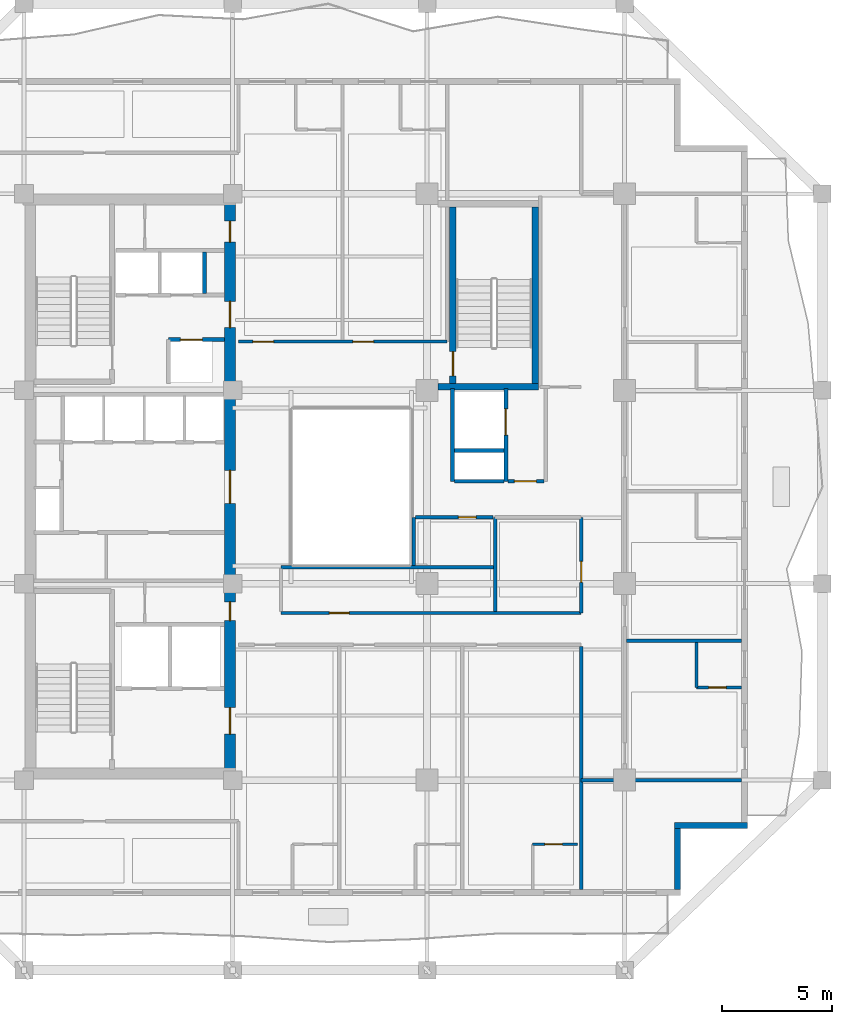
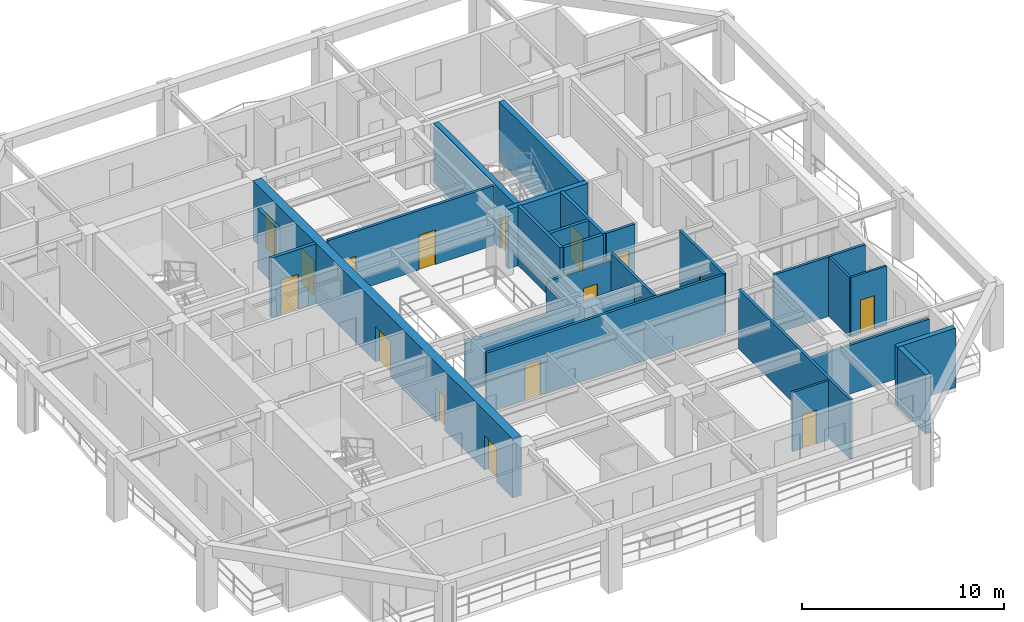
# One storey, part 5 of 12: 26 walls, 16 doors, 16 openings.
"""IFC4 building model written with IfcOpenShell, lengths in metres."""

from ifc_helpers import new_model, si_unit, direction, frame, frame_2d, origin, place, context, subcontext, project, spatial, rectangle, extrude, material, layer, layer_set, type_object, element, fill, save


model = new_model("IFC4")

# Units and contexts
model_context = context("Model", 3, precision=1e-05, world=origin(), true_north=direction((0.0, 1.0)))
body_context = subcontext(model_context, "Body", "Model", "MODEL_VIEW")
ifc_project = project(units=[si_unit("LENGTHUNIT", "METRE"), si_unit("AREAUNIT", "SQUARE_METRE"), si_unit("VOLUMEUNIT", "CUBIC_METRE"), si_unit("PLANEANGLEUNIT", "RADIAN"), si_unit("MASSUNIT", "GRAM", prefix="KILO")], contexts=[model_context])

# Site, building, storey
site_placement = place(None, origin())
site = spatial("IfcSite", under=ifc_project, at=site_placement, CompositionType="ELEMENT")
building_placement = place(site_placement, origin())
building = spatial("IfcBuilding", under=site, at=building_placement, Name="Kundavana Baori Tower", CompositionType="ELEMENT")
storey_placement = place(building_placement, frame((0.0, 0.0, 134.800048828125)))
storey = spatial("IfcBuildingStorey", under=building, at=storey_placement, Name="L32", CompositionType="ELEMENT", Elevation=134.800048828125)

# Wall, openings, doors
ifc_material_1 = material(Name="Concrete C50/60", Category="concrete")
ifc_layer_1 = layer(ifc_material_1, 0.5, Name="WL-CORE-500")
ifc_layer_set_1 = layer_set([ifc_layer_1], Name="Concrete C50/60")
wall_type_1 = type_object("IfcWallType", Name="WL-CORE-500", PredefinedType="SHEAR", material=ifc_layer_set_1)
wall_1_placement = place(storey_placement, frame((24.830078125, 15.739990234375, 0.0), z_axis=(0.0, 0.0, 1.0), x_axis=(0.0, 1.0, 0.0)))
wall_1 = element("IfcWall", 1, at=wall_1_placement, inside=storey, type_object=wall_type_1, Name="L32 Offset Core East Shear Wall", PredefinedType="SHEAR", context=body_context, shape_type="SweptSolid", body=[
    extrude(rectangle(XDim=25.760009765625, YDim=0.5, at=frame_2d((12.8798828125, 0.0))), origin(), (0.0, 0.0, 1.0), 3.599853515625),
])
opening_1_placement = place(wall_1_placement, frame((1.610107421875, 0.0, 0.0)))
opening_1 = element("IfcOpeningElement", 2, at=opening_1_placement, cuts=wall_1, Name="Opening FD-120", PredefinedType="OPENING", context=body_context, shape_type="SweptSolid", body=[
    extrude(rectangle(XDim=1.199951171875, YDim=2.10009765625, at=frame_2d((0.60009765625, 1.050048828125))), frame((0.0, 0.260009765625, 0.0), z_axis=(0.0, -1.0, 0.0), x_axis=(1.0, 0.0, 0.0)), (0.0, 0.0, 1.0), 0.52001953125),
])
opening_2_placement = place(wall_1_placement, frame((6.780029296875, 0.0, 0.0)))
opening_2 = element("IfcOpeningElement", 3, at=opening_2_placement, cuts=wall_1, Name="Opening FD-085", PredefinedType="OPENING", context=body_context, shape_type="SweptSolid", body=[
    extrude(rectangle(XDim=0.85009765625, YDim=2.06005859375, at=frame_2d((0.425048828125, 1.030029296875))), frame((0.0, 0.260009765625, 0.0), z_axis=(0.0, -1.0, 0.0), x_axis=(1.0, 0.0, 0.0)), (0.0, 0.0, 1.0), 0.52001953125),
])
opening_3_placement = place(wall_1_placement, frame((12.110107421875, 0.0, 0.0)))
opening_3 = element("IfcOpeningElement", 4, at=opening_3_placement, cuts=wall_1, Name="Opening FD-150", PredefinedType="OPENING", context=body_context, shape_type="SweptSolid", body=[
    extrude(rectangle(XDim=1.5, YDim=2.1201171875, at=frame_2d((0.75, 1.06005859375))), frame((0.0, 0.260009765625, 0.0), z_axis=(0.0, -1.0, 0.0), x_axis=(1.0, 0.0, 0.0)), (0.0, 0.0, 1.0), 0.52001953125),
])
opening_4_placement = place(wall_1_placement, frame((20.110107421875, 0.0, 0.0)))
opening_4 = element("IfcOpeningElement", 5, at=opening_4_placement, cuts=wall_1, Name="Opening FD-122", PredefinedType="OPENING", context=body_context, shape_type="SweptSolid", body=[
    extrude(rectangle(XDim=1.199951171875, YDim=2.1201171875, at=frame_2d((0.60009765625, 1.06005859375))), frame((0.0, 0.260009765625, 0.0), z_axis=(0.0, -1.0, 0.0), x_axis=(1.0, 0.0, 0.0)), (0.0, 0.0, 1.0), 0.52001953125),
])
opening_5_placement = place(wall_1_placement, frame((24.010009765625, 0.0, 0.0)))
opening_5 = element("IfcOpeningElement", 6, at=opening_5_placement, cuts=wall_1, Name="Opening FD-095", PredefinedType="OPENING", context=body_context, shape_type="SweptSolid", body=[
    extrude(rectangle(XDim=0.949951171875, YDim=2.10009765625, at=frame_2d((0.47509765625, 1.050048828125))), frame((0.0, 0.260009765625, 0.0), z_axis=(0.0, -1.0, 0.0), x_axis=(1.0, 0.0, 0.0)), (0.0, 0.0, 1.0), 0.52001953125),
])
ifc_material_2 = material(Name="Galvanised Steel Fire-Rated Door Leaf", Category="steel")
door_type_1 = type_object("IfcDoorType", Name="DR-FD120-1200", OperationType="NOTDEFINED", PredefinedType="DOOR", material=ifc_material_2)
door_1_placement = place(opening_1_placement, frame((1.199951171875, 0.0, 0.0), z_axis=(0.0, 0.0, 1.0), x_axis=(-1.0, 0.0, 0.0)))
door_1 = element("IfcDoor", 7, at=door_1_placement, inside=storey, type_object=door_type_1, Name="DR-L32-FFLOB-E", OperationType="SINGLE_SWING_RIGHT", OverallHeight=2.10009765625, OverallWidth=1.199951171875, PredefinedType="DOOR", context=body_context, shape_type="SweptSolid", body=[
    extrude(rectangle(XDim=1.199951171875, YDim=2.10009765625, at=frame_2d((0.60009765625, 1.050048828125))), frame((0.0, 0.02490234375, 0.0), z_axis=(0.0, -1.0, 0.0), x_axis=(1.0, 0.0, 0.0)), (0.0, 0.0, 1.0), 0.050048828125),
])
fill(opening_1, door_1)
ifc_material_3 = material(Name="Galvanised Steel Fire-Rated Door Leaf", Category="steel")
door_type_2 = type_object("IfcDoorType", Name="DR-FD60-1200", OperationType="NOTDEFINED", PredefinedType="DOOR", material=ifc_material_3)
door_2_placement = place(opening_4_placement, frame((1.199951171875, 0.0, 0.0), z_axis=(0.0, 0.0, 1.0), x_axis=(-1.0, 0.0, 0.0)))
door_2 = element("IfcDoor", 8, at=door_2_placement, inside=storey, type_object=door_type_2, Name="DR-L32-HRLOB-E", OperationType="SINGLE_SWING_RIGHT", OverallHeight=2.1201171875, OverallWidth=1.199951171875, PredefinedType="DOOR", context=body_context, shape_type="SweptSolid", body=[
    extrude(rectangle(XDim=1.199951171875, YDim=2.1201171875, at=frame_2d((0.60009765625, 1.06005859375))), frame((0.0, 0.02490234375, 0.0), z_axis=(0.0, -1.0, 0.0), x_axis=(1.0, 0.0, 0.0)), (0.0, 0.0, 1.0), 0.050048828125),
])
fill(opening_4, door_2)
ifc_material_4 = material(Name="Galvanised Steel Fire-Rated Door Leaf", Category="steel")
door_type_3 = type_object("IfcDoorType", Name="DR-FD60-1500", OperationType="NOTDEFINED", PredefinedType="DOOR", material=ifc_material_4)
door_3_placement = place(opening_3_placement, frame((1.5, 0.0, 0.0), z_axis=(0.0, 0.0, 1.0), x_axis=(-1.0, 0.0, 0.0)))
door_3 = element("IfcDoor", 9, at=door_3_placement, inside=storey, type_object=door_type_3, Name="DR-L32-LIFTHALL-E", OperationType="SINGLE_SWING_LEFT", OverallHeight=2.1201171875, OverallWidth=1.5, PredefinedType="DOOR", context=body_context, shape_type="SweptSolid", body=[
    extrude(rectangle(XDim=1.5, YDim=2.1201171875, at=frame_2d((0.75, 1.06005859375))), frame((0.0, 0.02490234375, 0.0), z_axis=(0.0, -1.0, 0.0), x_axis=(1.0, 0.0, 0.0)), (0.0, 0.0, 1.0), 0.050048828125),
])
fill(opening_3, door_3)
ifc_material_5 = material(Name="Galvanised Steel Fire-Rated Door Leaf", Category="steel")
door_type_4 = type_object("IfcDoorType", Name="DR-FD60-850", OperationType="NOTDEFINED", PredefinedType="DOOR", material=ifc_material_5)
door_4_placement = place(opening_2_placement, frame((0.85009765625, 0.0, 0.0), z_axis=(0.0, 0.0, 1.0), x_axis=(-1.0, 0.0, 0.0)))
door_4 = element("IfcDoor", 10, at=door_4_placement, inside=storey, type_object=door_type_4, Name="DR-L32-CSMK2", OperationType="SINGLE_SWING_LEFT", OverallHeight=2.06005859375, OverallWidth=0.85009765625, PredefinedType="DOOR", context=body_context, shape_type="SweptSolid", body=[
    extrude(rectangle(XDim=0.85009765625, YDim=2.06005859375, at=frame_2d((0.425048828125, 1.030029296875))), frame((0.0, 0.02490234375, 0.0), z_axis=(0.0, -1.0, 0.0), x_axis=(1.0, 0.0, 0.0)), (0.0, 0.0, 1.0), 0.050048828125),
])
fill(opening_2, door_4)
ifc_material_6 = material(Name="Engineered Teak Fire-Rated Timber Door Leaf", Category="wood")
door_type_5 = type_object("IfcDoorType", Name="DR-FD60-950", OperationType="NOTDEFINED", PredefinedType="DOOR", material=ifc_material_6)
door_5_placement = place(opening_5_placement, frame((0.949951171875, 0.0, 0.0), z_axis=(0.0, 0.0, 1.0), x_axis=(-1.0, 0.0, 0.0)))
door_5 = element("IfcDoor", 11, at=door_5_placement, inside=storey, type_object=door_type_5, Name="DR-L32-CSRV2", OperationType="SINGLE_SWING_LEFT", OverallHeight=2.10009765625, OverallWidth=0.949951171875, PredefinedType="DOOR", context=body_context, shape_type="SweptSolid", body=[
    extrude(rectangle(XDim=0.949951171875, YDim=2.10009765625, at=frame_2d((0.47509765625, 1.050048828125))), frame((0.0, 0.02490234375, 0.0), z_axis=(0.0, -1.0, 0.0), x_axis=(1.0, 0.0, 0.0)), (0.0, 0.0, 1.0), 0.050048828125),
])
fill(opening_5, door_5)

# Walls
ifc_material_7 = material(Name="Red-Buff Dholpur Sandstone Cladding on Concrete C40/50", Category="masonry")
ifc_layer_2 = layer(ifc_material_7, 0.280029296875, Name="WL-EXT-SAND-280")
ifc_layer_set_2 = layer_set([ifc_layer_2], Name="Red-Buff Dholpur Sandstone Cladding on Concrete C40/50")
wall_type_2 = type_object("IfcWallType", Name="WL-EXT-SAND-280", PredefinedType="STANDARD", material=ifc_layer_set_2)
wall_2_placement = place(storey_placement, frame((45.2099609375, 10.280029296875, 0.0), z_axis=(0.0, 0.0, 1.0), x_axis=(0.0, 1.0, 0.0)))
element("IfcWall", 12, at=wall_2_placement, inside=storey, type_object=wall_type_2, Name="L32 Exterior Insulated Facade Wall 02", PredefinedType="STANDARD", context=body_context, shape_type="SweptSolid", body=[
    extrude(rectangle(XDim=2.77001953125, YDim=0.280029296875, at=frame_2d((1.385009765625, 0.0))), origin(), (0.0, 0.0, 1.0), 3.599853515625),
])
wall_3_placement = place(storey_placement, frame((45.070068359375, 13.18994140625, 0.0), z_axis=(0.0, 0.0, 1.0), x_axis=(1.0, 0.0, 0.0)))
element("IfcWall", 13, at=wall_3_placement, inside=storey, type_object=wall_type_2, Name="L32 Exterior Insulated Facade Wall 03", PredefinedType="STANDARD", context=body_context, shape_type="SweptSolid", body=[
    extrude(rectangle(XDim=3.329833984375, YDim=0.280029296875, at=frame_2d((1.6650390625, 0.0))), origin(), (0.0, 0.0, 1.0), 3.599853515625),
])

# Wall, opening, door
ifc_material_8 = material(Name="Fire-Rated Gypsum Drywall on Galvanised Steel Studs", Category="steel")
ifc_layer_3 = layer(ifc_material_8, 0.14990234375, Name="WL-PART-150")
ifc_layer_set_3 = layer_set([ifc_layer_3], Name="Fire-Rated Gypsum Drywall on Galvanised Steel Studs")
wall_type_3 = type_object("IfcWallType", Name="WL-PART-150", PredefinedType="PARTITIONING", material=ifc_layer_set_3)
wall_4_placement = place(storey_placement, frame((37.47998046875, 28.860107421875, 0.0), z_axis=(0.0, 0.0, 1.0), x_axis=(1.0, 0.0, 0.0)))
wall_4 = element("IfcWall", 14, at=wall_4_placement, inside=storey, type_object=wall_type_3, Name="WL-L32-SVLOB-S", PredefinedType="PARTITIONING", context=body_context, shape_type="SweptSolid", body=[
    extrude(rectangle(XDim=1.64013671875, YDim=0.14990234375, at=frame_2d((0.820068359375, 0.0))), origin(), (0.0, 0.0, 1.0), 3.599853515625),
])
opening_6_placement = place(wall_4_placement, frame((0.300048828125, 0.0, 0.0)))
opening_6 = element("IfcOpeningElement", 15, at=opening_6_placement, cuts=wall_4, Name="Opening FD-100", PredefinedType="OPENING", context=body_context, shape_type="SweptSolid", body=[
    extrude(rectangle(XDim=1.0, YDim=2.10009765625, at=frame_2d((0.5, 1.050048828125))), frame((0.0, 0.0849609375, 0.0), z_axis=(0.0, -1.0, 0.0), x_axis=(1.0, 0.0, 0.0)), (0.0, 0.0, 1.0), 0.169921875),
])
ifc_material_9 = material(Name="Engineered Teak Fire-Rated Timber Door Leaf", Category="wood")
door_type_6 = type_object("IfcDoorType", Name="DR-FD60-1000", OperationType="NOTDEFINED", PredefinedType="DOOR", material=ifc_material_9)
door_6_placement = place(opening_6_placement, origin())
door_6 = element("IfcDoor", 16, at=door_6_placement, inside=storey, type_object=door_type_6, Name="DR-L32-SVLOB-OUT", OperationType="SINGLE_SWING_LEFT", OverallHeight=2.10009765625, OverallWidth=1.0, PredefinedType="DOOR", context=body_context, shape_type="SweptSolid", body=[
    extrude(rectangle(XDim=1.0, YDim=2.10009765625, at=frame_2d((0.5, 1.050048828125))), frame((0.0, 0.02490234375, 0.0), z_axis=(0.0, -1.0, 0.0), x_axis=(1.0, 0.0, 0.0)), (0.0, 0.0, 1.0), 0.050048828125),
])
fill(opening_6, door_6)

wall_5_placement = place(storey_placement, frame((27.14990234375, 22.860107421875, 0.0), z_axis=(0.0, 0.0, 1.0), x_axis=(1.0, 0.0, 0.0)))
wall_5 = element("IfcWall", 17, at=wall_5_placement, inside=storey, type_object=wall_type_3, Name="WL-L32-HST", PredefinedType="PARTITIONING", context=body_context, shape_type="SweptSolid", body=[
    extrude(rectangle(XDim=13.670166015625, YDim=0.14990234375, at=frame_2d((6.8349609375, 0.0))), origin(), (0.0, 0.0, 1.0), 3.599853515625),
])
opening_7_placement = place(wall_5_placement, frame((2.199951171875, 0.0, 0.0)))
opening_7 = element("IfcOpeningElement", 18, at=opening_7_placement, cuts=wall_5, Name="Opening ID-090", PredefinedType="OPENING", context=body_context, shape_type="SweptSolid", body=[
    extrude(rectangle(XDim=0.89990234375, YDim=2.080078125, at=frame_2d((0.449951171875, 1.0400390625))), frame((0.0, 0.0849609375, 0.0), z_axis=(0.0, -1.0, 0.0), x_axis=(1.0, 0.0, 0.0)), (0.0, 0.0, 1.0), 0.169921875),
])
ifc_material_10 = material(Name="Engineered Teak Solid-Core Timber Veneer", Category="wood")
door_type_7 = type_object("IfcDoorType", Name="DR-INT-900", OperationType="NOTDEFINED", PredefinedType="DOOR", material=ifc_material_10)
door_7_placement = place(opening_7_placement, origin())
door_7 = element("IfcDoor", 19, at=door_7_placement, inside=storey, type_object=door_type_7, Name="DR-L32-HPNT", OperationType="SINGLE_SWING_LEFT", OverallHeight=2.080078125, OverallWidth=0.89990234375, PredefinedType="DOOR", context=body_context, shape_type="SweptSolid", body=[
    extrude(rectangle(XDim=0.89990234375, YDim=2.080078125, at=frame_2d((0.449951171875, 1.0400390625))), frame((0.0, 0.02490234375, 0.0), z_axis=(0.0, -1.0, 0.0), x_axis=(1.0, 0.0, 0.0)), (0.0, 0.0, 1.0), 0.050048828125),
])
fill(opening_7, door_7)

# Wall, openings, doors
wall_6_placement = place(storey_placement, frame((25.219970703125, 35.219970703125, 0.0), z_axis=(0.0, 0.0, 1.0), x_axis=(1.0, 0.0, 0.0)))
wall_6 = element("IfcWall", 20, at=wall_6_placement, inside=storey, type_object=wall_type_3, Name="WL-L32-HN", PredefinedType="PARTITIONING", context=body_context, shape_type="SweptSolid", body=[
    extrude(rectangle(XDim=9.5, YDim=0.14990234375, at=frame_2d((4.75, 0.0))), origin(), (0.0, 0.0, 1.0), 3.599853515625),
])
opening_8_placement = place(wall_6_placement, frame((0.64990234375, 0.0, 0.0)))
opening_8 = element("IfcOpeningElement", 21, at=opening_8_placement, cuts=wall_6, Name="Opening FD-095", PredefinedType="OPENING", context=body_context, shape_type="SweptSolid", body=[
    extrude(rectangle(XDim=0.949951171875, YDim=2.10009765625, at=frame_2d((0.47509765625, 1.050048828125))), frame((0.0, 0.0849609375, 0.0), z_axis=(0.0, -1.0, 0.0), x_axis=(1.0, 0.0, 0.0)), (0.0, 0.0, 1.0), 0.169921875),
])
opening_9_placement = place(wall_6_placement, frame((5.199951171875, 0.0, 0.0)))
opening_9 = element("IfcOpeningElement", 22, at=opening_9_placement, cuts=wall_6, Name="Opening FD-095", PredefinedType="OPENING", context=body_context, shape_type="SweptSolid", body=[
    extrude(rectangle(XDim=0.949951171875, YDim=2.10009765625, at=frame_2d((0.47509765625, 1.050048828125))), frame((0.0, 0.0849609375, 0.0), z_axis=(0.0, -1.0, 0.0), x_axis=(1.0, 0.0, 0.0)), (0.0, 0.0, 1.0), 0.169921875),
])
door_8_placement = place(opening_8_placement, origin())
door_8 = element("IfcDoor", 23, at=door_8_placement, inside=storey, type_object=door_type_5, Name="DR-L32-HK-N1-ENT", OperationType="SINGLE_SWING_LEFT", OverallHeight=2.10009765625, OverallWidth=0.949951171875, PredefinedType="DOOR", context=body_context, shape_type="SweptSolid", body=[
    extrude(rectangle(XDim=0.949951171875, YDim=2.10009765625, at=frame_2d((0.47509765625, 1.050048828125))), frame((0.0, 0.02490234375, 0.0), z_axis=(0.0, -1.0, 0.0), x_axis=(1.0, 0.0, 0.0)), (0.0, 0.0, 1.0), 0.050048828125),
])
fill(opening_8, door_8)
door_9_placement = place(opening_9_placement, origin())
door_9 = element("IfcDoor", 24, at=door_9_placement, inside=storey, type_object=door_type_5, Name="DR-L32-HK-N2-ENT", OperationType="SINGLE_SWING_RIGHT", OverallHeight=2.10009765625, OverallWidth=0.949951171875, PredefinedType="DOOR", context=body_context, shape_type="SweptSolid", body=[
    extrude(rectangle(XDim=0.949951171875, YDim=2.10009765625, at=frame_2d((0.47509765625, 1.050048828125))), frame((0.0, 0.02490234375, 0.0), z_axis=(0.0, -1.0, 0.0), x_axis=(1.0, 0.0, 0.0)), (0.0, 0.0, 1.0), 0.050048828125),
])
fill(opening_9, door_9)

# Wall
wall_7_placement = place(storey_placement, frame((40.820068359375, 15.25, 0.0), z_axis=(0.0, 0.0, 1.0), x_axis=(1.0, 0.0, 0.0)))
element("IfcWall", 25, at=wall_7_placement, inside=storey, type_object=wall_type_3, Name="WL-L32-HES", PredefinedType="PARTITIONING", context=body_context, shape_type="SweptSolid", body=[
    extrude(rectangle(XDim=7.300048828125, YDim=0.14990234375, at=frame_2d((3.64990234375, 0.0))), origin(), (0.0, 0.0, 1.0), 2.949951171875),
])

# Wall, opening, door
wall_8_placement = place(storey_placement, frame((40.820068359375, 22.860107421875, 0.0), z_axis=(0.0, 0.0, 1.0), x_axis=(0.0, 1.0, 0.0)))
wall_8 = element("IfcWall", 26, at=wall_8_placement, inside=storey, type_object=wall_type_3, Name="WL-L32-HEW", PredefinedType="PARTITIONING", context=body_context, shape_type="SweptSolid", body=[
    extrude(rectangle(XDim=4.35986328125, YDim=0.14990234375, at=frame_2d((2.179931640625, 0.0))), origin(), (0.0, 0.0, 1.0), 3.599853515625),
])
opening_10_placement = place(wall_8_placement, frame((1.39990234375, 0.0, 0.0)))
opening_10 = element("IfcOpeningElement", 27, at=opening_10_placement, cuts=wall_8, Name="Opening FD-095", PredefinedType="OPENING", context=body_context, shape_type="SweptSolid", body=[
    extrude(rectangle(XDim=0.949951171875, YDim=2.10009765625, at=frame_2d((0.47509765625, 1.050048828125))), frame((0.0, 0.0849609375, 0.0), z_axis=(0.0, -1.0, 0.0), x_axis=(1.0, 0.0, 0.0)), (0.0, 0.0, 1.0), 0.169921875),
])
door_10_placement = place(opening_10_placement, frame((0.949951171875, 0.0, 0.0), z_axis=(0.0, 0.0, 1.0), x_axis=(-1.0, 0.0, 0.0)))
door_10 = element("IfcDoor", 28, at=door_10_placement, inside=storey, type_object=door_type_5, Name="DR-L32-HSK", OperationType="SINGLE_SWING_RIGHT", OverallHeight=2.10009765625, OverallWidth=0.949951171875, PredefinedType="DOOR", context=body_context, shape_type="SweptSolid", body=[
    extrude(rectangle(XDim=0.949951171875, YDim=2.10009765625, at=frame_2d((0.47509765625, 1.050048828125))), frame((0.0, 0.02490234375, 0.0), z_axis=(0.0, -1.0, 0.0), x_axis=(1.0, 0.0, 0.0)), (0.0, 0.0, 1.0), 0.050048828125),
])
fill(opening_10, door_10)

# Walls
wall_9_placement = place(storey_placement, frame((36.89990234375, 22.93994140625, 0.0), z_axis=(0.0, 0.0, 1.0), x_axis=(0.0, 1.0, 0.0)))
element("IfcWall", 29, at=wall_9_placement, inside=storey, type_object=wall_type_3, Name="WL-L32-HKD", PredefinedType="PARTITIONING", context=body_context, shape_type="SweptSolid", body=[
    extrude(rectangle(XDim=4.280029296875, YDim=0.14990234375, at=frame_2d((2.14013671875, 0.0))), origin(), (0.0, 0.0, 1.0), 3.599853515625),
])
wall_10_placement = place(storey_placement, frame((27.14990234375, 24.949951171875, 0.0), z_axis=(0.0, 0.0, 1.0), x_axis=(1.0, 0.0, 0.0)))
element("IfcWall", 30, at=wall_10_placement, inside=storey, type_object=wall_type_3, Name="WL-L32-HPN1", PredefinedType="PARTITIONING", context=body_context, shape_type="SweptSolid", body=[
    extrude(rectangle(XDim=9.670166015625, YDim=0.14990234375, at=frame_2d((4.8349609375, 0.0))), origin(), (0.0, 0.0, 1.0), 3.050048828125),
])
wall_11_placement = place(storey_placement, frame((33.199951171875, 25.02001953125, 0.0), z_axis=(0.0, 0.0, 1.0), x_axis=(0.0, 1.0, 0.0)))
element("IfcWall", 31, at=wall_11_placement, inside=storey, type_object=wall_type_3, Name="WL-L32-HASW", PredefinedType="PARTITIONING", context=body_context, shape_type="SweptSolid", body=[
    extrude(rectangle(XDim=2.199951171875, YDim=0.14990234375, at=frame_2d((1.10009765625, 0.0))), origin(), (0.0, 0.0, 1.0), 3.050048828125),
])

# Wall, opening, door
wall_12_placement = place(storey_placement, frame((33.280029296875, 27.219970703125, 0.0), z_axis=(0.0, 0.0, 1.0), x_axis=(1.0, 0.0, 0.0)))
wall_12 = element("IfcWall", 32, at=wall_12_placement, inside=storey, type_object=wall_type_3, Name="WL-L32-HASN", PredefinedType="PARTITIONING", context=body_context, shape_type="SweptSolid", body=[
    extrude(rectangle(XDim=3.52001953125, YDim=0.14990234375, at=frame_2d((1.760009765625, 0.0))), origin(), (0.0, 0.0, 1.0), 3.199951171875),
])
opening_11_placement = place(wall_12_placement, frame((1.949951171875, 0.0, 0.0)))
opening_11 = element("IfcOpeningElement", 33, at=opening_11_placement, cuts=wall_12, Name="Opening WD-080", PredefinedType="OPENING", context=body_context, shape_type="SweptSolid", body=[
    extrude(rectangle(XDim=0.800048828125, YDim=2.050048828125, at=frame_2d((0.39990234375, 1.02490234375))), frame((0.0, 0.0849609375, 0.0), z_axis=(0.0, -1.0, 0.0), x_axis=(1.0, 0.0, 0.0)), (0.0, 0.0, 1.0), 0.169921875),
])
ifc_material_11 = material(Name="Engineered Teak Solid-Core Timber Veneer", Category="wood")
door_type_8 = type_object("IfcDoorType", Name="DR-WET-800", OperationType="NOTDEFINED", PredefinedType="DOOR", material=ifc_material_11)
door_11_placement = place(opening_11_placement, frame((0.800048828125, 0.0, 0.0), z_axis=(0.0, 0.0, 1.0), x_axis=(-1.0, 0.0, 0.0)))
door_11 = element("IfcDoor", 34, at=door_11_placement, inside=storey, type_object=door_type_8, Name="DR-L32-HLAS", OperationType="SINGLE_SWING_LEFT", OverallHeight=2.050048828125, OverallWidth=0.800048828125, PredefinedType="DOOR", context=body_context, shape_type="SweptSolid", body=[
    extrude(rectangle(XDim=0.800048828125, YDim=2.050048828125, at=frame_2d((0.39990234375, 1.02490234375))), frame((0.0, 0.02490234375, 0.0), z_axis=(0.0, -1.0, 0.0), x_axis=(1.0, 0.0, 0.0)), (0.0, 0.0, 1.0), 0.050048828125),
])
fill(opening_11, door_11)

# Walls
wall_13_placement = place(storey_placement, frame((40.820068359375, 10.280029296875, 0.0), z_axis=(0.0, 0.0, 1.0), x_axis=(0.0, 1.0, 0.0)))
element("IfcWall", 35, at=wall_13_placement, inside=storey, type_object=wall_type_3, Name="WL-L32-HSEND", PredefinedType="PARTITIONING", context=body_context, shape_type="SweptSolid", body=[
    extrude(rectangle(XDim=11.06005859375, YDim=0.14990234375, at=frame_2d((5.530029296875, 0.0))), origin(), (0.0, 0.0, 1.0), 3.599853515625),
])
wall_14_placement = place(storey_placement, frame((42.8798828125, 21.60009765625, 0.0), z_axis=(0.0, 0.0, 1.0), x_axis=(1.0, 0.0, 0.0)))
element("IfcWall", 36, at=wall_14_placement, inside=storey, type_object=wall_type_3, Name="WL-L32-HED1", PredefinedType="PARTITIONING", context=body_context, shape_type="SweptSolid", body=[
    extrude(rectangle(XDim=5.240234375, YDim=0.14990234375, at=frame_2d((2.6201171875, 0.0))), origin(), (0.0, 0.0, 1.0), 3.599853515625),
])

# Wall, opening, door
ifc_material_12 = material(Name="Autoclaved Aerated Concrete Blockwork Masonry", Category="masonry")
ifc_layer_4 = layer(ifc_material_12, 0.179931640625, Name="WL-SHAFT-180")
ifc_layer_set_4 = layer_set([ifc_layer_4], Name="Autoclaved Aerated Concrete Blockwork Masonry")
wall_type_4 = type_object("IfcWallType", Name="WL-SHAFT-180", PredefinedType="SOLIDWALL", material=ifc_layer_set_4)
wall_15_placement = place(storey_placement, frame((22.02001953125, 35.31005859375, 0.0), z_axis=(0.0, 0.0, 1.0), x_axis=(1.0, 0.0, 0.0)))
wall_15 = element("IfcWall", 37, at=wall_15_placement, inside=storey, type_object=wall_type_4, Name="WL-L32-LP11-N", PredefinedType="SOLIDWALL", context=body_context, shape_type="SweptSolid", body=[
    extrude(rectangle(XDim=2.56005859375, YDim=0.179931640625, at=frame_2d((1.280029296875, 0.0))), origin(), (0.0, 0.0, 1.0), 3.599853515625),
])
opening_12_placement = place(wall_15_placement, frame((0.550048828125, 0.0, 0.0)))
opening_12 = element("IfcOpeningElement", 38, at=opening_12_placement, cuts=wall_15, Name="Opening LD-100", PredefinedType="OPENING", context=body_context, shape_type="SweptSolid", body=[
    extrude(rectangle(XDim=1.0, YDim=2.10009765625, at=frame_2d((0.5, 1.050048828125))), frame((0.0, 0.10009765625, 0.0), z_axis=(0.0, -1.0, 0.0), x_axis=(1.0, 0.0, 0.0)), (0.0, 0.0, 1.0), 0.199951171875),
])
ifc_material_13 = material(Name="Galvanised Steel Fire-Rated Door Leaf", Category="steel")
door_type_9 = type_object("IfcDoorType", Name="DR-SLIDE-LD1000", OperationType="NOTDEFINED", PredefinedType="DOOR", material=ifc_material_13)
door_12_placement = place(opening_12_placement, origin())
door_12 = element("IfcDoor", 39, at=door_12_placement, inside=storey, type_object=door_type_9, Name="DR-L32-LD-LP11", OperationType="DOUBLE_DOOR_SLIDING", OverallHeight=2.10009765625, OverallWidth=1.0, PredefinedType="DOOR", context=body_context, shape_type="SweptSolid", body=[
    extrude(rectangle(XDim=1.0, YDim=2.10009765625, at=frame_2d((0.5, 1.050048828125))), frame((0.0, 0.02490234375, 0.0), z_axis=(0.0, -1.0, 0.0), x_axis=(1.0, 0.0, 0.0)), (0.0, 0.0, 1.0), 0.050048828125),
])
fill(opening_12, door_12)

# Walls
wall_16_placement = place(storey_placement, frame((23.659912109375, 37.39990234375, 0.0), z_axis=(0.0, 0.0, 1.0), x_axis=(0.0, 1.0, 0.0)))
element("IfcWall", 40, at=wall_16_placement, inside=storey, type_object=wall_type_4, Name="WL-L32-HR-DIV2", PredefinedType="SOLIDWALL", context=body_context, shape_type="SweptSolid", body=[
    extrude(rectangle(XDim=1.900146484375, YDim=0.179931640625, at=frame_2d((0.9501953125, 0.0))), origin(), (0.0, 0.0, 1.0), 3.599853515625),
])
wall_17_placement = place(storey_placement, frame((34.9599609375, 28.860107421875, 0.0), z_axis=(0.0, 0.0, 1.0), x_axis=(0.0, 1.0, 0.0)))
element("IfcWall", 41, at=wall_17_placement, inside=storey, type_object=wall_type_4, Name="WL-L32-SVL-W", PredefinedType="SOLIDWALL", context=body_context, shape_type="SweptSolid", body=[
    extrude(rectangle(XDim=4.219970703125, YDim=0.179931640625, at=frame_2d((2.10986328125, 0.0))), origin(), (0.0, 0.0, 1.0), 3.599853515625),
])

# Wall, opening, door
wall_18_placement = place(storey_placement, frame((37.389892578125, 28.860107421875, 0.0), z_axis=(0.0, 0.0, 1.0), x_axis=(0.0, 1.0, 0.0)))
wall_18 = element("IfcWall", 42, at=wall_18_placement, inside=storey, type_object=wall_type_4, Name="WL-L32-SVL-E", PredefinedType="SOLIDWALL", context=body_context, shape_type="SweptSolid", body=[
    extrude(rectangle(XDim=4.219970703125, YDim=0.179931640625, at=frame_2d((2.10986328125, 0.0))), origin(), (0.0, 0.0, 1.0), 3.599853515625),
])
opening_13_placement = place(wall_18_placement, frame((2.10009765625, 0.0, 0.0)))
opening_13 = element("IfcOpeningElement", 43, at=opening_13_placement, cuts=wall_18, Name="Opening LD-120", PredefinedType="OPENING", context=body_context, shape_type="SweptSolid", body=[
    extrude(rectangle(XDim=1.199951171875, YDim=2.1201171875, at=frame_2d((0.60009765625, 1.06005859375))), frame((0.0, 0.10009765625, 0.0), z_axis=(0.0, -1.0, 0.0), x_axis=(1.0, 0.0, 0.0)), (0.0, 0.0, 1.0), 0.199951171875),
])
ifc_material_14 = material(Name="Galvanised Steel Fire-Rated Door Leaf", Category="steel")
door_type_10 = type_object("IfcDoorType", Name="DR-SLIDE-LD1200", OperationType="NOTDEFINED", PredefinedType="DOOR", material=ifc_material_14)
door_13_placement = place(opening_13_placement, frame((1.199951171875, 0.0, 0.0), z_axis=(0.0, 0.0, 1.0), x_axis=(-1.0, 0.0, 0.0)))
door_13 = element("IfcDoor", 44, at=door_13_placement, inside=storey, type_object=door_type_10, Name="DR-L32-LD-SVL1", OperationType="DOUBLE_DOOR_SLIDING", OverallHeight=2.1201171875, OverallWidth=1.199951171875, PredefinedType="DOOR", context=body_context, shape_type="SweptSolid", body=[
    extrude(rectangle(XDim=1.199951171875, YDim=2.1201171875, at=frame_2d((0.60009765625, 1.06005859375))), frame((0.0, 0.02490234375, 0.0), z_axis=(0.0, -1.0, 0.0), x_axis=(1.0, 0.0, 0.0)), (0.0, 0.0, 1.0), 0.050048828125),
])
fill(opening_13, door_13)

# Walls
for number, where, z_axis, x_axis, name in (
    (45, (35.050048828125, 28.860107421875, 0.0), (0.0, 0.0, 1.0), (1.0, 0.0, 0.0), "WL-L32-SVL-S"),
    (46, (35.050048828125, 30.27001953125, 0.0), (0.0, 0.0, 1.0), (1.0, 0.0, 0.0), "WL-L32-SVL-M"),
):
    element("IfcWall", number, at=place(storey_placement, frame(where, z_axis=z_axis, x_axis=x_axis)), inside=storey, type_object=wall_type_4, Name=name, PredefinedType="SOLIDWALL", context=body_context, shape_type="SweptSolid", body=[
        extrude(rectangle(XDim=2.25, YDim=0.179931640625, at=frame_2d((1.125, 0.0))), origin(), (0.0, 0.0, 1.0), 3.599853515625),
    ])
ifc_material_15 = material(Name="Concrete C50/60", Category="concrete")
ifc_layer_5 = layer(ifc_material_15, 0.300048828125, Name="WL-ST3-300")
ifc_layer_set_5 = layer_set([ifc_layer_5], Name="Concrete C50/60")
wall_type_5 = type_object("IfcWallType", Name="WL-ST3-300", PredefinedType="SHEAR", material=ifc_layer_set_5)
wall_19_placement = place(storey_placement, frame((34.300048828125, 33.159912109375, 0.0), z_axis=(0.0, 0.0, 1.0), x_axis=(1.0, 0.0, 0.0)))
element("IfcWall", 47, at=wall_19_placement, inside=storey, type_object=wall_type_5, Name="L32 Stair ST3 South Shear Wall", PredefinedType="SHEAR", context=body_context, shape_type="SweptSolid", body=[
    extrude(rectangle(XDim=4.570068359375, YDim=0.300048828125, at=frame_2d((2.28515625, 0.0))), origin(), (0.0, 0.0, 1.0), 3.599853515625),
])

# Wall, opening, door
wall_20_placement = place(storey_placement, frame((34.97998046875, 33.31005859375, 0.0), z_axis=(0.0, 0.0, 1.0), x_axis=(0.0, 1.0, 0.0)))
wall_20 = element("IfcWall", 48, at=wall_20_placement, inside=storey, type_object=wall_type_5, Name="L32 Stair ST3 West Shear Wall", PredefinedType="SHEAR", context=body_context, shape_type="SweptSolid", body=[
    extrude(rectangle(XDim=8.030029296875, YDim=0.300048828125, at=frame_2d((4.01513671875, 0.0))), origin(), (0.0, 0.0, 1.0), 3.599853515625),
])
opening_14_placement = place(wall_20_placement, frame((0.35009765625, 0.0, 0.0)))
opening_14 = element("IfcOpeningElement", 49, at=opening_14_placement, cuts=wall_20, Name="Opening FD-110", PredefinedType="OPENING", context=body_context, shape_type="SweptSolid", body=[
    extrude(rectangle(XDim=1.10009765625, YDim=2.10009765625, at=frame_2d((0.550048828125, 1.050048828125))), frame((0.0, 0.16015625, 0.0), z_axis=(0.0, -1.0, 0.0), x_axis=(1.0, 0.0, 0.0)), (0.0, 0.0, 1.0), 0.320068359375),
])
ifc_material_16 = material(Name="Galvanised Steel Fire-Rated Door Leaf", Category="steel")
door_type_11 = type_object("IfcDoorType", Name="DR-FD120-1100", OperationType="NOTDEFINED", PredefinedType="DOOR", material=ifc_material_16)
door_14_placement = place(opening_14_placement, origin())
door_14 = element("IfcDoor", 50, at=door_14_placement, inside=storey, type_object=door_type_11, Name="DR-L32-ST3-W", OperationType="SINGLE_SWING_LEFT", OverallHeight=2.10009765625, OverallWidth=1.10009765625, PredefinedType="DOOR", context=body_context, shape_type="SweptSolid", body=[
    extrude(rectangle(XDim=1.10009765625, YDim=2.10009765625, at=frame_2d((0.550048828125, 1.050048828125))), frame((0.0, 0.02490234375, 0.0), z_axis=(0.0, -1.0, 0.0), x_axis=(1.0, 0.0, 0.0)), (0.0, 0.0, 1.0), 0.050048828125),
])
fill(opening_14, door_14)

# Wall
wall_21_placement = place(storey_placement, frame((38.719970703125, 33.31005859375, 0.0), z_axis=(0.0, 0.0, 1.0), x_axis=(0.0, 1.0, 0.0)))
element("IfcWall", 51, at=wall_21_placement, inside=storey, type_object=wall_type_5, Name="L32 Stair ST3 East Shear Wall", PredefinedType="SHEAR", context=body_context, shape_type="SweptSolid", body=[
    extrude(rectangle(XDim=8.030029296875, YDim=0.300048828125, at=frame_2d((4.01513671875, 0.0))), origin(), (0.0, 0.0, 1.0), 3.599853515625),
])

# Wall, opening, door
ifc_material_17 = material(Name="Autoclaved Aerated Concrete Blockwork Masonry", Category="masonry")
ifc_layer_6 = layer(ifc_material_17, 0.125, Name="WL-WET-120")
ifc_layer_set_6 = layer_set([ifc_layer_6], Name="Autoclaved Aerated Concrete Blockwork Masonry")
wall_type_6 = type_object("IfcWallType", Name="WL-WET-120", PredefinedType="PLUMBINGWALL", material=ifc_layer_set_6)
wall_22_placement = place(storey_placement, frame((38.610107421875, 12.330078125, 0.0), z_axis=(0.0, 0.0, 1.0), x_axis=(1.0, 0.0, 0.0)))
wall_22 = element("IfcWall", 52, at=wall_22_placement, inside=storey, type_object=wall_type_6, Name="WL-L32-HK-S3-BN", PredefinedType="PLUMBINGWALL", context=body_context, shape_type="SweptSolid", body=[
    extrude(rectangle(XDim=2.0498046875, YDim=0.125, at=frame_2d((1.02490234375, 0.0))), origin(), (0.0, 0.0, 1.0), 3.599853515625),
])
opening_15_placement = place(wall_22_placement, frame((0.550048828125, 0.0, 0.0)))
opening_15 = element("IfcOpeningElement", 53, at=opening_15_placement, cuts=wall_22, Name="Opening WD-080", PredefinedType="OPENING", context=body_context, shape_type="SweptSolid", body=[
    extrude(rectangle(XDim=0.800048828125, YDim=2.050048828125, at=frame_2d((0.39990234375, 1.02490234375))), frame((0.0, 0.072509765625, 0.0), z_axis=(0.0, -1.0, 0.0), x_axis=(1.0, 0.0, 0.0)), (0.0, 0.0, 1.0), 0.14501953125),
])
door_15_placement = place(opening_15_placement, origin())
door_15 = element("IfcDoor", 54, at=door_15_placement, inside=storey, type_object=door_type_8, Name="DR-L32-HK-S3-ENS", OperationType="SINGLE_SWING_LEFT", OverallHeight=2.050048828125, OverallWidth=0.800048828125, PredefinedType="DOOR", context=body_context, shape_type="SweptSolid", body=[
    extrude(rectangle(XDim=0.800048828125, YDim=2.050048828125, at=frame_2d((0.39990234375, 1.02490234375))), frame((0.0, 0.02490234375, 0.0), z_axis=(0.0, -1.0, 0.0), x_axis=(1.0, 0.0, 0.0)), (0.0, 0.0, 1.0), 0.050048828125),
])
fill(opening_15, door_15)

# Wall
wall_23_placement = place(storey_placement, frame((46.070068359375, 19.469970703125, 0.0), z_axis=(0.0, 0.0, 1.0), x_axis=(0.0, 1.0, 0.0)))
element("IfcWall", 55, at=wall_23_placement, inside=storey, type_object=wall_type_6, Name="WL-L32-HK-E1-BW", PredefinedType="PLUMBINGWALL", context=body_context, shape_type="SweptSolid", body=[
    extrude(rectangle(XDim=2.050048828125, YDim=0.125, at=frame_2d((1.02490234375, 0.0))), origin(), (0.0, 0.0, 1.0), 3.599853515625),
])

# Wall, opening, door
wall_24_placement = place(storey_placement, frame((46.070068359375, 19.469970703125, 0.0), z_axis=(0.0, 0.0, 1.0), x_axis=(1.0, 0.0, 0.0)))
wall_24 = element("IfcWall", 56, at=wall_24_placement, inside=storey, type_object=wall_type_6, Name="WL-L32-HK-E1-BS", PredefinedType="PLUMBINGWALL", context=body_context, shape_type="SweptSolid", body=[
    extrude(rectangle(XDim=2.050048828125, YDim=0.125, at=frame_2d((1.02490234375, 0.0))), origin(), (0.0, 0.0, 1.0), 3.599853515625),
])
opening_16_placement = place(wall_24_placement, frame((0.550048828125, 0.0, 0.0)))
opening_16 = element("IfcOpeningElement", 57, at=opening_16_placement, cuts=wall_24, Name="Opening WD-080", PredefinedType="OPENING", context=body_context, shape_type="SweptSolid", body=[
    extrude(rectangle(XDim=0.800048828125, YDim=2.050048828125, at=frame_2d((0.39990234375, 1.02490234375))), frame((0.0, 0.072509765625, 0.0), z_axis=(0.0, -1.0, 0.0), x_axis=(1.0, 0.0, 0.0)), (0.0, 0.0, 1.0), 0.14501953125),
])
door_16_placement = place(opening_16_placement, frame((0.800048828125, 0.0, 0.0), z_axis=(0.0, 0.0, 1.0), x_axis=(-1.0, 0.0, 0.0)))
door_16 = element("IfcDoor", 58, at=door_16_placement, inside=storey, type_object=door_type_8, Name="DR-L32-HK-E1-ENS", OperationType="SINGLE_SWING_LEFT", OverallHeight=2.050048828125, OverallWidth=0.800048828125, PredefinedType="DOOR", context=body_context, shape_type="SweptSolid", body=[
    extrude(rectangle(XDim=0.800048828125, YDim=2.050048828125, at=frame_2d((0.39990234375, 1.02490234375))), frame((0.0, 0.02490234375, 0.0), z_axis=(0.0, -1.0, 0.0), x_axis=(1.0, 0.0, 0.0)), (0.0, 0.0, 1.0), 0.050048828125),
])
fill(opening_16, door_16)

save(model, "model.ifc")
